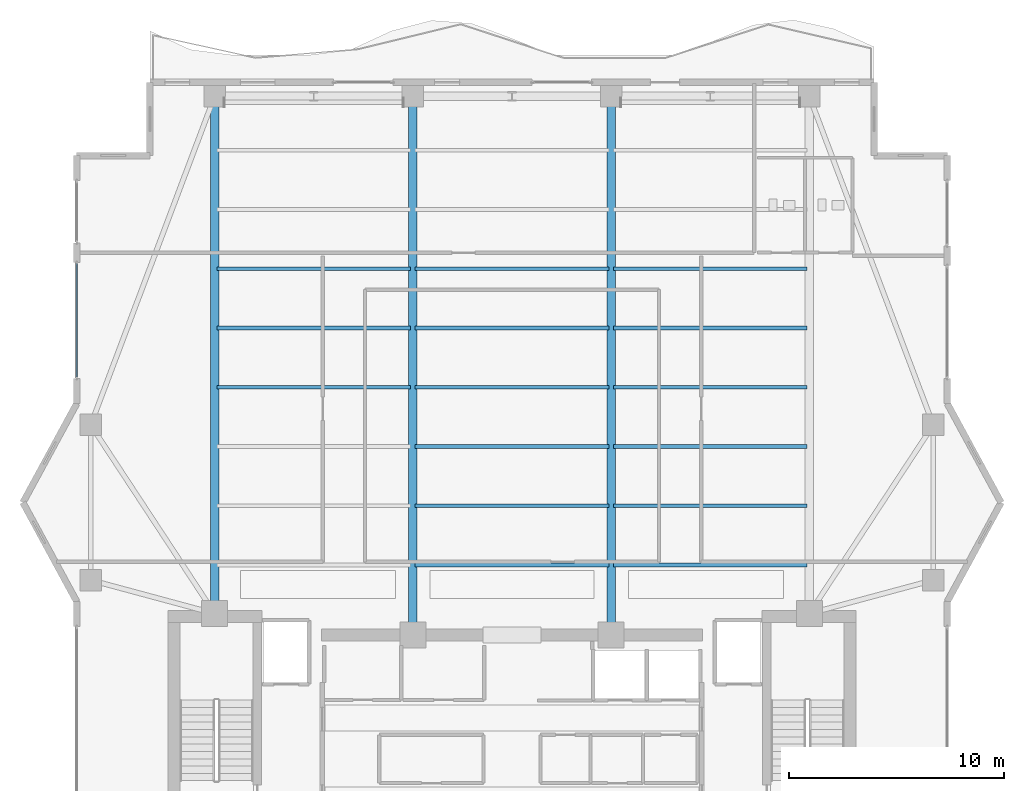
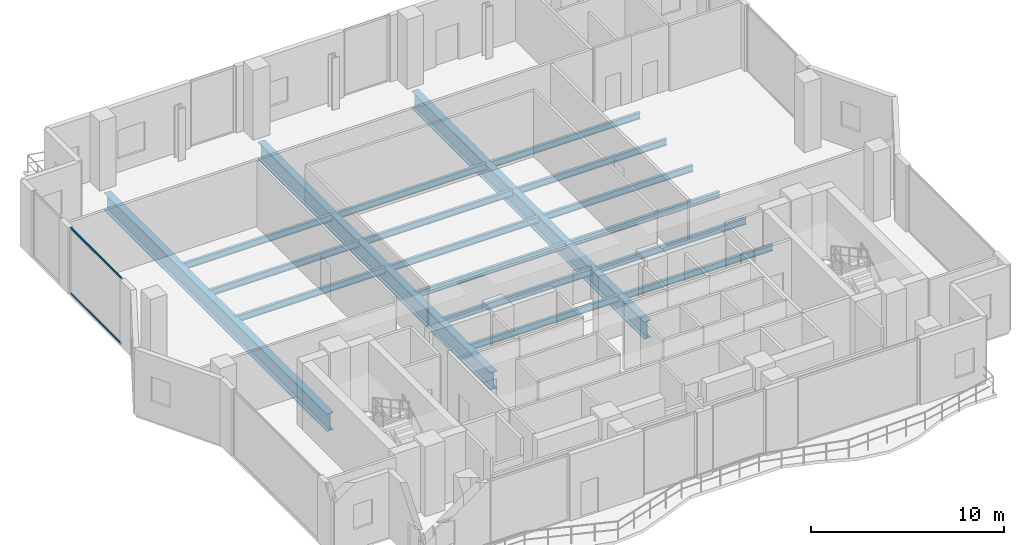
# One storey, part 7 of 24: 18 beams, 2 members, 1 element without a shape of its own.
"""IFC4 building model written with IfcOpenShell, lengths in metres."""

from ifc_helpers import new_model, si_unit, direction, frame, origin, origin_2d, place, context, subcontext, project, spatial, hollow_rectangle, i_section, extrude, material, layer, layer_set, material_profile, profile_set, type_object, element, aggregate, save


model = new_model("IFC4")

# Units and contexts
model_context = context("Model", 3, precision=1e-05, world=origin(), true_north=direction((0.0, 1.0)))
body_context = subcontext(model_context, "Body", "Model", "MODEL_VIEW")
ifc_project = project(units=[si_unit("LENGTHUNIT", "METRE"), si_unit("AREAUNIT", "SQUARE_METRE"), si_unit("VOLUMEUNIT", "CUBIC_METRE"), si_unit("PLANEANGLEUNIT", "RADIAN"), si_unit("MASSUNIT", "GRAM", prefix="KILO")], contexts=[model_context])

# Site, building, storey
site_placement = place(None, origin())
site = spatial("IfcSite", under=ifc_project, at=site_placement, CompositionType="ELEMENT")
building_placement = place(site_placement, origin())
building = spatial("IfcBuilding", under=site, at=building_placement, Name="Zuhayl Quay Hotel", CompositionType="ELEMENT")
storey_placement = place(building_placement, frame((0.0, 0.0, 284.050048828125)))
storey = spatial("IfcBuildingStorey", under=building, at=storey_placement, Name="L72", CompositionType="ELEMENT", Elevation=284.050048828125)

# Beams
ifc_material_1 = material(Name="Steel ASTM A992 Grade 50", Category="steel")
ifc_material_profile_1 = material_profile(ifc_material_1, i_section(OverallWidth=0.177978515625, OverallDepth=0.404052734375, WebThickness=0.007568359375, FlangeThickness=0.010986328125, at=origin_2d()), Name="W16X36")
ifc_profile_set_1 = profile_set([ifc_material_profile_1], Name="Steel ASTM A992 Grade 50")
beam_type_1 = type_object("IfcBeamType", Name="BM_J3_W16X36", PredefinedType="JOIST", material=ifc_profile_set_1)
beam_1_placement = place(storey_placement, frame((-4.493896484375, 16.60009765625, -0.422119140625), z_axis=(1.0, 0.0, 0.0), x_axis=(0.0, 1.0, 0.0)))
element("IfcBeam", 1, at=beam_1_placement, inside=storey, type_object=beam_type_1, Name="L72 Floor Beam FJ_L72_1_2", PredefinedType="JOIST", context=body_context, shape_type="SweptSolid", body=[
    extrude(i_section(OverallWidth=0.177978515625, OverallDepth=0.404052734375, WebThickness=0.007568359375, FlangeThickness=0.010986328125, at=origin_2d()), origin(), (0.0, 0.0, 1.0), 8.98779296875),
])
beam_2_placement = place(storey_placement, frame((4.7060546875, 16.60009765625, -0.422119140625), z_axis=(1.0, 0.0, 0.0), x_axis=(0.0, 1.0, 0.0)))
element("IfcBeam", 2, at=beam_2_placement, inside=storey, type_object=beam_type_1, Name="L72 Floor Beam FJ_L72_1_3", PredefinedType="JOIST", context=body_context, shape_type="SweptSolid", body=[
    extrude(i_section(OverallWidth=0.177978515625, OverallDepth=0.404052734375, WebThickness=0.007568359375, FlangeThickness=0.010986328125, at=origin_2d()), origin(), (0.0, 0.0, 1.0), 8.988037109375),
])
beam_3_placement = place(storey_placement, frame((-4.493896484375, 19.35009765625, -0.422119140625), z_axis=(1.0, 0.0, 0.0), x_axis=(0.0, 1.0, 0.0)))
element("IfcBeam", 3, at=beam_3_placement, inside=storey, type_object=beam_type_1, Name="L72 Floor Beam FJ_L72_2_2", PredefinedType="JOIST", context=body_context, shape_type="SweptSolid", body=[
    extrude(i_section(OverallWidth=0.177978515625, OverallDepth=0.404052734375, WebThickness=0.007568359375, FlangeThickness=0.010986328125, at=origin_2d()), origin(), (0.0, 0.0, 1.0), 8.98779296875),
])
beam_4_placement = place(storey_placement, frame((4.7060546875, 19.35009765625, -0.422119140625), z_axis=(1.0, 0.0, 0.0), x_axis=(0.0, 1.0, 0.0)))
element("IfcBeam", 4, at=beam_4_placement, inside=storey, type_object=beam_type_1, Name="L72 Floor Beam FJ_L72_2_3", PredefinedType="JOIST", context=body_context, shape_type="SweptSolid", body=[
    extrude(i_section(OverallWidth=0.177978515625, OverallDepth=0.404052734375, WebThickness=0.007568359375, FlangeThickness=0.010986328125, at=origin_2d()), origin(), (0.0, 0.0, 1.0), 8.988037109375),
])
beam_5_placement = place(storey_placement, frame((-4.493896484375, 22.10009765625, -0.422119140625), z_axis=(1.0, 0.0, 0.0), x_axis=(0.0, 1.0, 0.0)))
element("IfcBeam", 5, at=beam_5_placement, inside=storey, type_object=beam_type_1, Name="L72 Floor Beam FJ_L72_3_2", PredefinedType="JOIST", context=body_context, shape_type="SweptSolid", body=[
    extrude(i_section(OverallWidth=0.177978515625, OverallDepth=0.404052734375, WebThickness=0.007568359375, FlangeThickness=0.010986328125, at=origin_2d()), origin(), (0.0, 0.0, 1.0), 8.98779296875),
])
for number, where, z_axis, x_axis, name in (
    (6, (4.7060546875, 22.10009765625, -0.422119140625), (1.0, 0.0, 0.0), (0.0, 1.0, 0.0), "L72 Floor Beam FJ_L72_3_3"),
    (7, (-13.694091796875, 24.85009765625, -0.422119140625), (1.0, 0.0, 0.0), (0.0, 1.0, 0.0), "L72 Floor Beam FJ_L72_4_1"),
):
    element("IfcBeam", number, at=place(storey_placement, frame(where, z_axis=z_axis, x_axis=x_axis)), inside=storey, type_object=beam_type_1, Name=name, PredefinedType="JOIST", context=body_context, shape_type="SweptSolid", body=[
        extrude(i_section(OverallWidth=0.177978515625, OverallDepth=0.404052734375, WebThickness=0.007568359375, FlangeThickness=0.010986328125, at=origin_2d()), origin(), (0.0, 0.0, 1.0), 8.988037109375),
    ])
beam_6_placement = place(storey_placement, frame((-4.493896484375, 24.85009765625, -0.422119140625), z_axis=(1.0, 0.0, 0.0), x_axis=(0.0, 1.0, 0.0)))
element("IfcBeam", 8, at=beam_6_placement, inside=storey, type_object=beam_type_1, Name="L72 Floor Beam FJ_L72_4_2", PredefinedType="JOIST", context=body_context, shape_type="SweptSolid", body=[
    extrude(i_section(OverallWidth=0.177978515625, OverallDepth=0.404052734375, WebThickness=0.007568359375, FlangeThickness=0.010986328125, at=origin_2d()), origin(), (0.0, 0.0, 1.0), 8.98779296875),
])
for number, where, z_axis, x_axis, name in (
    (9, (4.7060546875, 24.85009765625, -0.422119140625), (1.0, 0.0, 0.0), (0.0, 1.0, 0.0), "L72 Floor Beam FJ_L72_4_3"),
    (10, (-13.694091796875, 27.60009765625, -0.422119140625), (1.0, 0.0, 0.0), (0.0, 1.0, 0.0), "L72 Floor Beam FJ_L72_5_1"),
):
    element("IfcBeam", number, at=place(storey_placement, frame(where, z_axis=z_axis, x_axis=x_axis)), inside=storey, type_object=beam_type_1, Name=name, PredefinedType="JOIST", context=body_context, shape_type="SweptSolid", body=[
        extrude(i_section(OverallWidth=0.177978515625, OverallDepth=0.404052734375, WebThickness=0.007568359375, FlangeThickness=0.010986328125, at=origin_2d()), origin(), (0.0, 0.0, 1.0), 8.988037109375),
    ])
beam_7_placement = place(storey_placement, frame((-4.493896484375, 27.60009765625, -0.422119140625), z_axis=(1.0, 0.0, 0.0), x_axis=(0.0, 1.0, 0.0)))
element("IfcBeam", 11, at=beam_7_placement, inside=storey, type_object=beam_type_1, Name="L72 Floor Beam FJ_L72_5_2", PredefinedType="JOIST", context=body_context, shape_type="SweptSolid", body=[
    extrude(i_section(OverallWidth=0.177978515625, OverallDepth=0.404052734375, WebThickness=0.007568359375, FlangeThickness=0.010986328125, at=origin_2d()), origin(), (0.0, 0.0, 1.0), 8.98779296875),
])
for number, where, z_axis, x_axis, name in (
    (12, (4.7060546875, 27.60009765625, -0.422119140625), (1.0, 0.0, 0.0), (0.0, 1.0, 0.0), "L72 Floor Beam FJ_L72_5_3"),
    (13, (-13.694091796875, 30.35009765625, -0.422119140625), (1.0, 0.0, 0.0), (0.0, 1.0, 0.0), "L72 Floor Beam FJ_L72_6_1"),
):
    element("IfcBeam", number, at=place(storey_placement, frame(where, z_axis=z_axis, x_axis=x_axis)), inside=storey, type_object=beam_type_1, Name=name, PredefinedType="JOIST", context=body_context, shape_type="SweptSolid", body=[
        extrude(i_section(OverallWidth=0.177978515625, OverallDepth=0.404052734375, WebThickness=0.007568359375, FlangeThickness=0.010986328125, at=origin_2d()), origin(), (0.0, 0.0, 1.0), 8.988037109375),
    ])
beam_8_placement = place(storey_placement, frame((-4.493896484375, 30.35009765625, -0.422119140625), z_axis=(1.0, 0.0, 0.0), x_axis=(0.0, 1.0, 0.0)))
element("IfcBeam", 14, at=beam_8_placement, inside=storey, type_object=beam_type_1, Name="L72 Floor Beam FJ_L72_6_2", PredefinedType="JOIST", context=body_context, shape_type="SweptSolid", body=[
    extrude(i_section(OverallWidth=0.177978515625, OverallDepth=0.404052734375, WebThickness=0.007568359375, FlangeThickness=0.010986328125, at=origin_2d()), origin(), (0.0, 0.0, 1.0), 8.98779296875),
])
beam_9_placement = place(storey_placement, frame((4.7060546875, 30.35009765625, -0.422119140625), z_axis=(1.0, 0.0, 0.0), x_axis=(0.0, 1.0, 0.0)))
element("IfcBeam", 15, at=beam_9_placement, inside=storey, type_object=beam_type_1, Name="L72 Floor Beam FJ_L72_6_3", PredefinedType="JOIST", context=body_context, shape_type="SweptSolid", body=[
    extrude(i_section(OverallWidth=0.177978515625, OverallDepth=0.404052734375, WebThickness=0.007568359375, FlangeThickness=0.010986328125, at=origin_2d()), origin(), (0.0, 0.0, 1.0), 8.988037109375),
])
ifc_material_2 = material(Name="Steel ASTM A913 Grade 65", Category="steel")
ifc_material_profile_2 = material_profile(ifc_material_2, i_section(OverallWidth=0.404052734375, OverallDepth=1.117919921875, WebThickness=0.026123046875, FlangeThickness=0.044921875, at=origin_2d()), Name="W44X335")
ifc_profile_set_2 = profile_set([ifc_material_profile_2], Name="Steel ASTM A913 Grade 65")
beam_type_2 = type_object("IfcBeamType", Name="BM_TG1_W44X335", PredefinedType="BEAM", material=ifc_profile_set_2)
beam_10_placement = place(storey_placement, frame((-13.800048828125, 14.800048828125, -0.779052734375), z_axis=(0.0, 1.0, 0.0), x_axis=(-1.0, 0.0, 0.0)))
element("IfcBeam", 16, at=beam_10_placement, inside=storey, type_object=beam_type_2, Name="L72 Floor Beam FG_N_L72_1", PredefinedType="BEAM", context=body_context, shape_type="SweptSolid", body=[
    extrude(i_section(OverallWidth=0.404052734375, OverallDepth=1.117919921875, WebThickness=0.026123046875, FlangeThickness=0.044921875, at=origin_2d()), origin(), (0.0, 0.0, 1.0), 23.08984375),
])
for number, where, z_axis, x_axis, name in (
    (17, (-4.60009765625, 13.800048828125, -0.779052734375), (0.0, 1.0, 0.0), (-1.0, 0.0, 0.0), "L72 Floor Beam FG_N_L72_2"),
    (18, (4.60009765625, 13.800048828125, -0.779052734375), (0.0, 1.0, 0.0), (-1.0, 0.0, 0.0), "L72 Floor Beam FG_N_L72_3"),
):
    element("IfcBeam", number, at=place(storey_placement, frame(where, z_axis=z_axis, x_axis=x_axis)), inside=storey, type_object=beam_type_2, Name=name, PredefinedType="BEAM", context=body_context, shape_type="SweptSolid", body=[
        extrude(i_section(OverallWidth=0.404052734375, OverallDepth=1.117919921875, WebThickness=0.026123046875, FlangeThickness=0.044921875, at=origin_2d()), origin(), (0.0, 0.0, 1.0), 24.08984375),
    ])

# Curtain wall, members
ifc_material_3 = material(Name="Anodised Aluminium 6063-T6", Category="aluminium")
ifc_layer = layer(ifc_material_3, 0.169921875, Name="Anodised Aluminium 6063-T6", Category="aluminium")
ifc_layer_set = layer_set([ifc_layer], Name="Anodised Aluminium 6063-T6")
curtain_wall_type = type_object("IfcCurtainWallType", Name="CW_SYS_Z4", PredefinedType="USERDEFINED", material=ifc_layer_set)
curtain_wall_placement = place(storey_placement, origin())
curtain_wall = element("IfcCurtainWall", 19, at=curtain_wall_placement, inside=storey, type_object=curtain_wall_type, Name="L72 Curtain Wall ENV_L72_E05_CW1", ObjectType="UNITISED CURTAIN WALL", PredefinedType="USERDEFINED")
ifc_material_4 = material(Name="Black-anodised aluminium 6063-T6", Category="aluminium")
ifc_material_profile_3 = material_profile(ifc_material_4, hollow_rectangle(XDim=0.054931640625, YDim=0.1298828125, WallThickness=0.0029296875, at=origin_2d()), Name="ALU130X55")
ifc_profile_set_3 = profile_set([ifc_material_profile_3], Name="Black-anodised aluminium 6063-T6")
member_type = type_object("IfcMemberType", Name="MB_CW_TRN_130", PredefinedType="USERDEFINED", material=ifc_profile_set_3)
member_1_placement = place(storey_placement, frame((-20.199951171875, 25.31494140625, 0.02734375), z_axis=(0.0, 1.0, 0.0), x_axis=(-1.0, 0.0, 0.0)))
member_1 = element("IfcMember", 20, at=member_1_placement, type_object=member_type, Name="CW-Z4 transom 1.1", ObjectType="TRANSOM", PredefinedType="USERDEFINED", context=body_context, shape_type="SweptSolid", body=[
    extrude(hollow_rectangle(XDim=0.054931640625, YDim=0.1298828125, WallThickness=0.0029296875, at=origin_2d()), origin(), (0.0, 0.0, 1.0), 5.27001953125),
])
member_2_placement = place(storey_placement, frame((-20.199951171875, 25.31494140625, 4.15234375), z_axis=(0.0, 1.0, 0.0), x_axis=(-1.0, 0.0, 0.0)))
member_2 = element("IfcMember", 21, at=member_2_placement, type_object=member_type, Name="CW-Z4 transom 1.2", ObjectType="TRANSOM", PredefinedType="USERDEFINED", context=body_context, shape_type="SweptSolid", body=[
    extrude(hollow_rectangle(XDim=0.054931640625, YDim=0.1298828125, WallThickness=0.0029296875, at=origin_2d()), origin(), (0.0, 0.0, 1.0), 5.27001953125),
])
aggregate(curtain_wall, [member_1, member_2])

save(model, "model.ifc")
